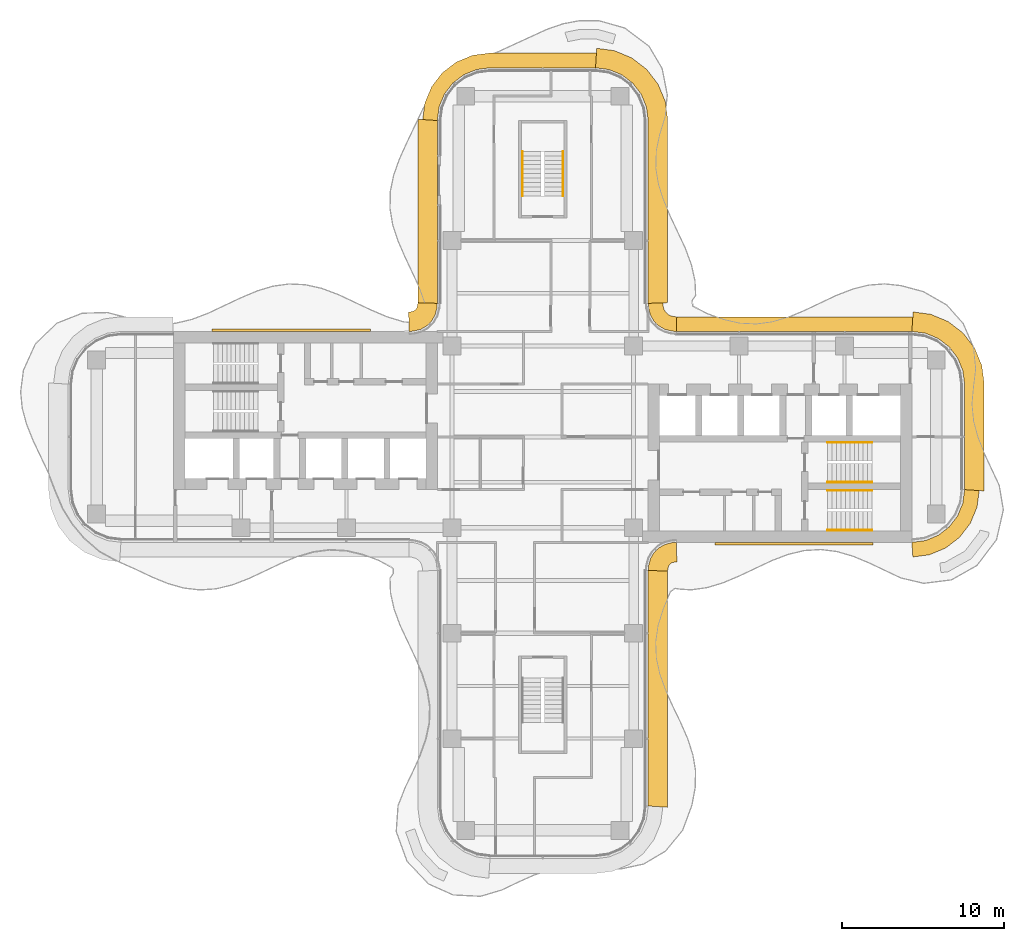
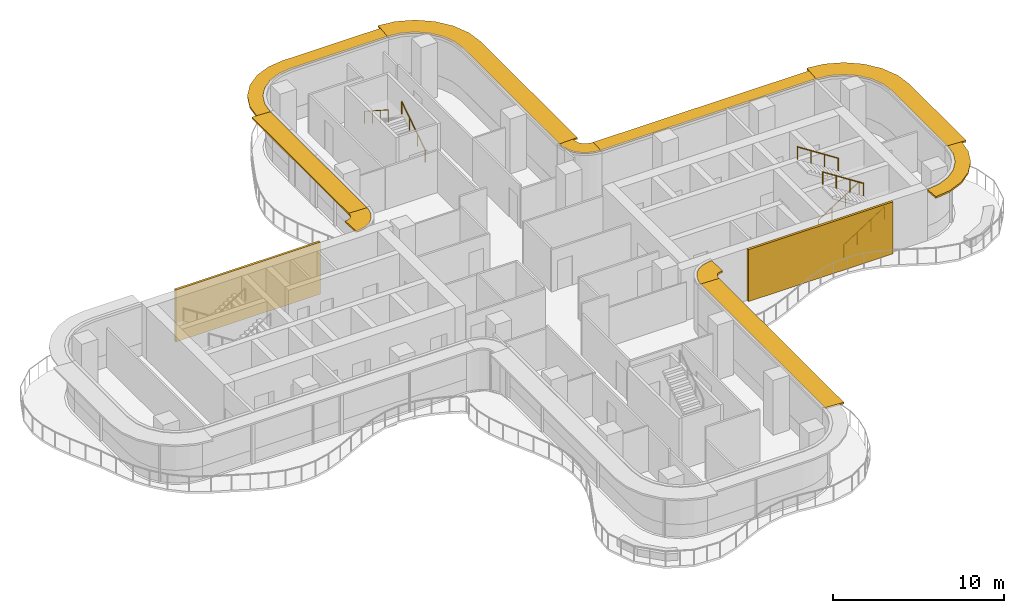
# One storey, part 17 of 17: 10 shading devices, 6 railings, 2 coverings.
"""IFC4 building model written with IfcOpenShell, lengths in metres."""

from ifc_helpers import new_model, si_unit, direction, frame, origin, origin_2d, place, context, subcontext, project, spatial, polyline, circle, outline, extrude, source, transform, mapped, material, layer, layer_set, type_object, element, save


model = new_model("IFC4")

# Units and contexts
model_context = context("Model", 3, precision=1e-05, world=origin(), true_north=direction((0.0, 1.0)))
body_context = subcontext(model_context, "Body", "Model", "MODEL_VIEW")
ifc_project = project(units=[si_unit("LENGTHUNIT", "METRE"), si_unit("AREAUNIT", "SQUARE_METRE"), si_unit("VOLUMEUNIT", "CUBIC_METRE"), si_unit("PLANEANGLEUNIT", "RADIAN"), si_unit("MASSUNIT", "GRAM", prefix="KILO")], contexts=[model_context])

# Site, building, storey
site_placement = place(None, origin())
site = spatial("IfcSite", under=ifc_project, at=site_placement, CompositionType="ELEMENT")
building_placement = place(site_placement, origin())
building = spatial("IfcBuilding", under=site, at=building_placement, Name="Trellis Farm Tower", CompositionType="ELEMENT")
storey_placement = place(building_placement, frame((0.0, 0.0, 232.39990234375)))
storey = spatial("IfcBuildingStorey", under=building, at=storey_placement, Name="L51", CompositionType="ELEMENT", Elevation=232.39990234375)

# Railings
ifc_material_1 = material(Name="Stainless steel", Category="steel")
railing_type = type_object("IfcRailingType", Name="STAIR HANDRAIL 900", PredefinedType="HANDRAIL", material=ifc_material_1)
shared_shape_1 = source(origin(), body_context, "Body", "SweptSolid", [
    extrude(circle(Radius=0.02392578125, at=origin_2d()), frame((0.0, 0.0, 0.8759765625), z_axis=(0.0, 0.840503830235, 0.541805602924), x_axis=(-1.0, 0.0, 0.0)), (0.0, 0.0, 1.0), 3.271728515625),
    extrude(circle(Radius=0.02099609375, at=origin_2d()), origin(), (0.0, 0.0, 1.0), 0.851806640625),
    extrude(circle(Radius=0.02099609375, at=origin_2d()), frame((0.0, 0.916748046875, 0.5908203125)), (0.0, 0.0, 1.0), 0.851806640625),
    extrude(circle(Radius=0.02099609375, at=origin_2d()), frame((0.0, 1.833251953125, 1.181884765625)), (0.0, 0.0, 1.0), 0.851806640625),
    extrude(circle(Radius=0.02099609375, at=origin_2d()), frame((0.0, 2.75, 1.772705078125)), (0.0, 0.0, 1.0), 0.851806640625),
])
railing_1_placement = place(storey_placement, frame((1.25, 14.85009765625, 0.177490234375)))
element("IfcRailing", 1, at=railing_1_placement, inside=storey, type_object=railing_type, Name="Stair handrail", PredefinedType="HANDRAIL", context=body_context, shape_type="MappedRepresentation", body=[
    mapped(shared_shape_1, transform((0.0, 0.0, 0.0))),
])
shared_shape_2 = source(origin(), body_context, "Body", "SweptSolid", [
    extrude(circle(Radius=0.02392578125, at=origin_2d()), frame((0.0, 0.0, 0.8759765625), z_axis=(0.0, -0.840503830235, 0.541805602924), x_axis=(1.0, 0.0, 0.0)), (0.0, 0.0, 1.0), 3.271728515625),
    extrude(circle(Radius=0.02099609375, at=origin_2d()), origin(), (0.0, 0.0, 1.0), 0.851806640625),
    extrude(circle(Radius=0.02099609375, at=origin_2d()), frame((0.0, -0.916748046875, 0.5908203125)), (0.0, 0.0, 1.0), 0.851806640625),
    extrude(circle(Radius=0.02099609375, at=origin_2d()), frame((0.0, -1.833251953125, 1.181884765625)), (0.0, 0.0, 1.0), 0.851806640625),
    extrude(circle(Radius=0.02099609375, at=origin_2d()), frame((0.0, -2.75, 1.772705078125)), (0.0, 0.0, 1.0), 0.851806640625),
])
railing_2_placement = place(storey_placement, frame((-1.25, 17.60009765625, 2.12744140625)))
element("IfcRailing", 2, at=railing_2_placement, inside=storey, type_object=railing_type, Name="Stair handrail", PredefinedType="HANDRAIL", context=body_context, shape_type="MappedRepresentation", body=[
    mapped(shared_shape_2, transform((0.0, 0.0, 0.0))),
])
shared_shape_3 = source(origin(), body_context, "Body", "SweptSolid", [
    extrude(circle(Radius=0.02392578125, at=origin_2d()), frame((0.0, 0.0, 0.8759765625), z_axis=(0.840503830235, 0.0, 0.541805602924), x_axis=(0.0, 1.0, 0.0)), (0.0, 0.0, 1.0), 3.271728515625),
    extrude(circle(Radius=0.02099609375, at=origin_2d()), origin(), (0.0, 0.0, 1.0), 0.851806640625),
    extrude(circle(Radius=0.02099609375, at=origin_2d()), frame((0.916748046875, 0.0, 0.5908203125)), (0.0, 0.0, 1.0), 0.851806640625),
    extrude(circle(Radius=0.02099609375, at=origin_2d()), frame((1.833251953125, 0.0, 1.181884765625)), (0.0, 0.0, 1.0), 0.851806640625),
    extrude(circle(Radius=0.02099609375, at=origin_2d()), frame((2.75, 0.0, 1.772705078125)), (0.0, 0.0, 1.0), 0.851806640625),
])
for number, where, name in (
    (3, (17.550048828125, -5.75, 0.177490234375), "Stair handrail"),
    (4, (17.550048828125, -2.800048828125, 0.177490234375), "Stair handrail"),
):
    element("IfcRailing", number, at=place(storey_placement, frame(where)), inside=storey, type_object=railing_type, Name=name, PredefinedType="HANDRAIL", context=body_context, shape_type="MappedRepresentation", body=[
        mapped(shared_shape_3, transform((0.0, 0.0, 0.0))),
    ])
shared_shape_4 = source(origin(), body_context, "Body", "SweptSolid", [
    extrude(circle(Radius=0.02392578125, at=origin_2d()), frame((0.0, 0.0, 0.8759765625), z_axis=(-0.840503830235, 0.0, 0.541805602924), x_axis=(0.0, -1.0, 0.0)), (0.0, 0.0, 1.0), 3.271728515625),
    extrude(circle(Radius=0.02099609375, at=origin_2d()), origin(), (0.0, 0.0, 1.0), 0.851806640625),
    extrude(circle(Radius=0.02099609375, at=origin_2d()), frame((-0.916748046875, 0.0, 0.5908203125)), (0.0, 0.0, 1.0), 0.851806640625),
    extrude(circle(Radius=0.02099609375, at=origin_2d()), frame((-1.833251953125, 0.0, 1.181884765625)), (0.0, 0.0, 1.0), 0.851806640625),
    extrude(circle(Radius=0.02099609375, at=origin_2d()), frame((-2.75, 0.0, 1.772705078125)), (0.0, 0.0, 1.0), 0.851806640625),
])
for number, where, name in (
    (5, (20.300048828125, -3.300048828125, 2.12744140625), "Stair handrail"),
    (6, (20.300048828125, -0.35009765625, 2.12744140625), "Stair handrail"),
):
    element("IfcRailing", number, at=place(storey_placement, frame(where)), inside=storey, type_object=railing_type, Name=name, PredefinedType="HANDRAIL", context=body_context, shape_type="MappedRepresentation", body=[
        mapped(shared_shape_4, transform((0.0, 0.0, 0.0))),
    ])

# Shading devices
ifc_material_2 = material(Name="Aluminium extrusion 6063-T6", Category="aluminium")
ifc_layer_1 = layer(ifc_material_2, 0.1201171875)
ifc_layer_set_1 = layer_set([ifc_layer_1], Name="SUNSHADE BLADE 1200")
shading_device_type_1 = type_object("IfcShadingDeviceType", Name="SUNSHADE BLADE 1200", PredefinedType="USERDEFINED", material=ifc_layer_set_1)
shared_shape_5 = source(origin(), body_context, "Body", "SweptSolid", [
    extrude(outline(polyline([(7.699951171875, -22.82861328125), (7.699951171875, -8.270751953125), (6.5, -8.2314453125), (6.5, -22.75), (7.699951171875, -22.82861328125)])), origin(), (0.0, 0.0, 1.0), 0.1201171875),
])
placement_1 = place(storey_placement, frame((0.0, 0.0, 3.5400390625)))
element("IfcShadingDevice", 7, at=placement_1, inside=storey, type_object=shading_device_type_1, Name="SD2 005", ObjectType="SUNSHADE", PredefinedType="USERDEFINED", context=body_context, shape_type="MappedRepresentation", body=[
    mapped(shared_shape_5, transform((0.0, 0.0, 0.0))),
])
shared_shape_6 = source(origin(), body_context, "Body", "SweptSolid", [
    extrude(outline(polyline([(7.699951171875, -8.270751953125), (7.708740234375, -8.13720703125), (7.70703125, -8.150146484375), (7.7548828125, -7.9716796875), (7.80712890625, -7.881103515625), (7.881103515625, -7.80712890625), (7.9716796875, -7.7548828125), (8.150146484375, -7.70703125), (8.13720703125, -7.708740234375), (8.270751953125, -7.699951171875), (8.2314453125, -6.5), (8.01953125, -6.513916015625), (7.91552734375, -6.527587890625), (7.508544921875, -6.63671875), (7.144287109375, -6.846923828125), (6.846923828125, -7.144287109375), (6.63671875, -7.508544921875), (6.527587890625, -7.91552734375), (6.513916015625, -8.01953125), (6.5, -8.2314453125), (7.699951171875, -8.270751953125)])), origin(), (0.0, 0.0, 1.0), 0.1201171875),
])
element("IfcShadingDevice", 8, at=placement_1, inside=storey, type_object=shading_device_type_1, Name="SD2 006", ObjectType="SUNSHADE", PredefinedType="USERDEFINED", context=body_context, shape_type="MappedRepresentation", body=[
    mapped(shared_shape_6, transform((0.0, 0.0, 0.0))),
])
ifc_layer_2 = layer(ifc_material_2, 0.1201171875)
ifc_layer_set_2 = layer_set([ifc_layer_2], Name="SUNSHADE BLADE 900")
shading_device_type_2 = type_object("IfcShadingDeviceType", Name="SUNSHADE BLADE 900", PredefinedType="USERDEFINED", material=ifc_layer_set_2)
shared_shape_7 = source(origin(), body_context, "Body", "SweptSolid", [
    extrude(outline(polyline([(8.2607421875, 7.39990234375), (8.107666015625, 7.409912109375), (8.091552734375, 7.412109375), (7.85595703125, 7.475341796875), (7.697021484375, 7.567138671875), (7.567138671875, 7.697021484375), (7.475341796875, 7.85595703125), (7.412109375, 8.091552734375), (7.409912109375, 8.107666015625), (7.39990234375, 8.2607421875), (6.5, 8.2314453125), (6.513916015625, 8.01953125), (6.527587890625, 7.91552734375), (6.63671875, 7.508544921875), (6.846923828125, 7.144287109375), (7.144287109375, 6.846923828125), (7.508544921875, 6.63671875), (7.91552734375, 6.527587890625), (8.01953125, 6.513916015625), (8.2314453125, 6.5), (8.2607421875, 7.39990234375)])), origin(), (0.0, 0.0, 1.0), 0.1201171875),
])
element("IfcShadingDevice", 9, at=placement_1, inside=storey, type_object=shading_device_type_2, Name="SD1 010", ObjectType="SUNSHADE", PredefinedType="USERDEFINED", context=body_context, shape_type="MappedRepresentation", body=[
    mapped(shared_shape_7, transform((0.0, 0.0, 0.0))),
])
shared_shape_8 = source(origin(), body_context, "Body", "SweptSolid", [
    extrude(outline(polyline([(-7.699951171875, 8.270751953125), (-7.708740234375, 8.13720703125), (-7.70703125, 8.150146484375), (-7.7548828125, 7.9716796875), (-7.80712890625, 7.881103515625), (-7.881103515625, 7.80712890625), (-7.9716796875, 7.7548828125), (-8.150146484375, 7.70703125), (-8.13720703125, 7.708740234375), (-8.270751953125, 7.699951171875), (-8.2314453125, 6.5), (-8.01953125, 6.513916015625), (-7.91552734375, 6.527587890625), (-7.508544921875, 6.63671875), (-7.144287109375, 6.846923828125), (-6.846923828125, 7.144287109375), (-6.63671875, 7.508544921875), (-6.527587890625, 7.91552734375), (-6.513916015625, 8.01953125), (-6.5, 8.2314453125), (-7.699951171875, 8.270751953125)])), origin(), (0.0, 0.0, 1.0), 0.1201171875),
])
element("IfcShadingDevice", 10, at=placement_1, inside=storey, type_object=shading_device_type_1, Name="SD2 014", ObjectType="SUNSHADE", PredefinedType="USERDEFINED", context=body_context, shape_type="MappedRepresentation", body=[
    mapped(shared_shape_8, transform((0.0, 0.0, 0.0))),
])

# Covering
ifc_material_3 = material(Name="Perforated precast screen (cobogo)", Category="concrete")
ifc_layer_3 = layer(ifc_material_3, 0.14990234375)
ifc_layer_set_3 = layer_set([ifc_layer_3], Name="COBOGO SCREEN PANEL")
covering_type = type_object("IfcCoveringType", Name="COBOGO SCREEN PANEL", PredefinedType="USERDEFINED", material=ifc_layer_set_3)
shared_shape_9 = source(origin(), body_context, "Body", "SweptSolid", [
    extrude(outline(polyline([(-10.630615234375, 6.64990234375), (-20.380615234375, 6.64990234375), (-20.380615234375, 6.5), (-10.630615234375, 6.5), (-10.630615234375, 6.64990234375)])), origin(), (0.0, 0.0, 1.0), 3.7001953125),
])
placement_2 = place(storey_placement, origin())
element("IfcCovering", 11, at=placement_2, inside=storey, type_object=covering_type, Name="SC1 02", ObjectType="SCREEN", PredefinedType="USERDEFINED", context=body_context, shape_type="MappedRepresentation", body=[
    mapped(shared_shape_9, transform((0.0, 0.0, 0.0))),
])

# Shading devices
shared_shape_10 = source(origin(), body_context, "Body", "SweptSolid", [
    extrude(outline(polyline([(7.699951171875, 8.270751953125), (7.699951171875, 19.57861328125), (7.558349609375, 20.654541015625), (7.11279296875, 21.730224609375), (6.404052734375, 22.654052734375), (5.480224609375, 23.36279296875), (4.404541015625, 23.808349609375), (3.32861328125, 23.949951171875), (3.25, 22.75), (4.091064453125, 22.63916015625), (4.875, 22.314697265625), (5.548095703125, 21.798095703125), (6.064697265625, 21.125), (6.38916015625, 20.341064453125), (6.5, 19.5), (6.5, 8.2314453125), (7.699951171875, 8.270751953125)])), origin(), (0.0, 0.0, 1.0), 0.1201171875),
])
element("IfcShadingDevice", 12, at=placement_1, inside=storey, type_object=shading_device_type_1, Name="SD2 011", ObjectType="SUNSHADE", PredefinedType="USERDEFINED", context=body_context, shape_type="MappedRepresentation", body=[
    mapped(shared_shape_10, transform((0.0, 0.0, 0.0))),
])
shared_shape_11 = source(origin(), body_context, "Body", "SweptSolid", [
    extrude(outline(polyline([(3.30908203125, 23.64990234375), (-3.30908203125, 23.64990234375), (-4.326171875, 23.51611328125), (-5.328857421875, 23.100830078125), (-6.18994140625, 22.43994140625), (-6.850830078125, 21.578857421875), (-7.26611328125, 20.576171875), (-7.39990234375, 19.55908203125), (-6.5, 19.5), (-6.38916015625, 20.341064453125), (-6.064697265625, 21.125), (-5.548095703125, 21.798095703125), (-4.875, 22.314697265625), (-4.091064453125, 22.63916015625), (-3.25, 22.75), (3.25, 22.75), (3.30908203125, 23.64990234375)])), origin(), (0.0, 0.0, 1.0), 0.1201171875),
])
element("IfcShadingDevice", 13, at=placement_1, inside=storey, type_object=shading_device_type_2, Name="SD1 012", ObjectType="SUNSHADE", PredefinedType="USERDEFINED", context=body_context, shape_type="MappedRepresentation", body=[
    mapped(shared_shape_11, transform((0.0, 0.0, 0.0))),
])
shared_shape_12 = source(origin(), body_context, "Body", "SweptSolid", [
    extrude(outline(polyline([(-7.699951171875, 19.57861328125), (-7.699951171875, 8.270751953125), (-6.5, 8.2314453125), (-6.5, 19.5), (-7.699951171875, 19.57861328125)])), origin(), (0.0, 0.0, 1.0), 0.1201171875),
])
element("IfcShadingDevice", 14, at=placement_1, inside=storey, type_object=shading_device_type_1, Name="SD2 013", ObjectType="SUNSHADE", PredefinedType="USERDEFINED", context=body_context, shape_type="MappedRepresentation", body=[
    mapped(shared_shape_12, transform((0.0, 0.0, 0.0))),
])
shared_shape_13 = source(origin(), body_context, "Body", "SweptSolid", [
    extrude(outline(polyline([(22.80908203125, -7.39990234375), (23.826171875, -7.26611328125), (24.828857421875, -6.850830078125), (25.68994140625, -6.18994140625), (26.350830078125, -5.328857421875), (26.76611328125, -4.326171875), (26.89990234375, -3.30908203125), (26.0, -3.25), (25.88916015625, -4.091064453125), (25.564697265625, -4.875), (25.048095703125, -5.548095703125), (24.375, -6.064697265625), (23.591064453125, -6.38916015625), (22.75, -6.5), (22.80908203125, -7.39990234375)])), origin(), (0.0, 0.0, 1.0), 0.1201171875),
])
element("IfcShadingDevice", 15, at=placement_1, inside=storey, type_object=shading_device_type_2, Name="SD1 007", ObjectType="SUNSHADE", PredefinedType="USERDEFINED", context=body_context, shape_type="MappedRepresentation", body=[
    mapped(shared_shape_13, transform((0.0, 0.0, 0.0))),
])
shared_shape_14 = source(origin(), body_context, "Body", "SweptSolid", [
    extrude(outline(polyline([(27.199951171875, -3.32861328125), (27.199951171875, 3.32861328125), (27.058349609375, 4.404541015625), (26.61279296875, 5.480224609375), (25.904052734375, 6.404052734375), (24.980224609375, 7.11279296875), (23.904541015625, 7.558349609375), (22.82861328125, 7.699951171875), (22.75, 6.5), (23.591064453125, 6.38916015625), (24.375, 6.064697265625), (25.048095703125, 5.548095703125), (25.564697265625, 4.875), (25.88916015625, 4.091064453125), (26.0, 3.25), (26.0, -3.25), (27.199951171875, -3.32861328125)])), origin(), (0.0, 0.0, 1.0), 0.1201171875),
])
element("IfcShadingDevice", 16, at=placement_1, inside=storey, type_object=shading_device_type_1, Name="SD2 008", ObjectType="SUNSHADE", PredefinedType="USERDEFINED", context=body_context, shape_type="MappedRepresentation", body=[
    mapped(shared_shape_14, transform((0.0, 0.0, 0.0))),
])
shared_shape_15 = source(origin(), body_context, "Body", "SweptSolid", [
    extrude(outline(polyline([(22.80908203125, 7.39990234375), (8.2607421875, 7.39990234375), (8.2314453125, 6.5), (22.75, 6.5), (22.80908203125, 7.39990234375)])), origin(), (0.0, 0.0, 1.0), 0.1201171875),
])
element("IfcShadingDevice", 17, at=placement_1, inside=storey, type_object=shading_device_type_2, Name="SD1 009", ObjectType="SUNSHADE", PredefinedType="USERDEFINED", context=body_context, shape_type="MappedRepresentation", body=[
    mapped(shared_shape_15, transform((0.0, 0.0, 0.0))),
])

# Covering
shared_shape_16 = source(origin(), body_context, "Body", "SweptSolid", [
    extrude(outline(polyline([(10.61572265625, -6.64990234375), (20.36572265625, -6.64990234375), (20.36572265625, -6.5), (10.61572265625, -6.5), (10.61572265625, -6.64990234375)])), origin(), (0.0, 0.0, 1.0), 3.7001953125),
])
element("IfcCovering", 18, at=placement_2, inside=storey, type_object=covering_type, Name="SC1 01", ObjectType="SCREEN", PredefinedType="USERDEFINED", context=body_context, shape_type="MappedRepresentation", body=[
    mapped(shared_shape_16, transform((0.0, 0.0, 0.0))),
])

save(model, "model.ifc")
